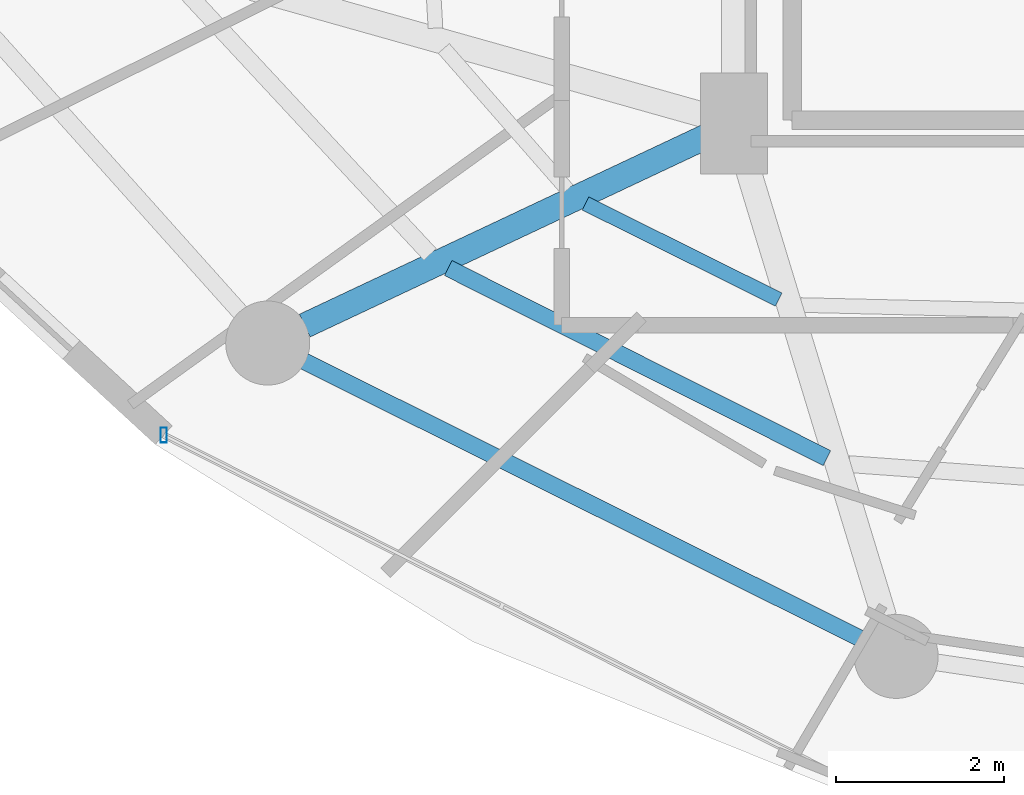
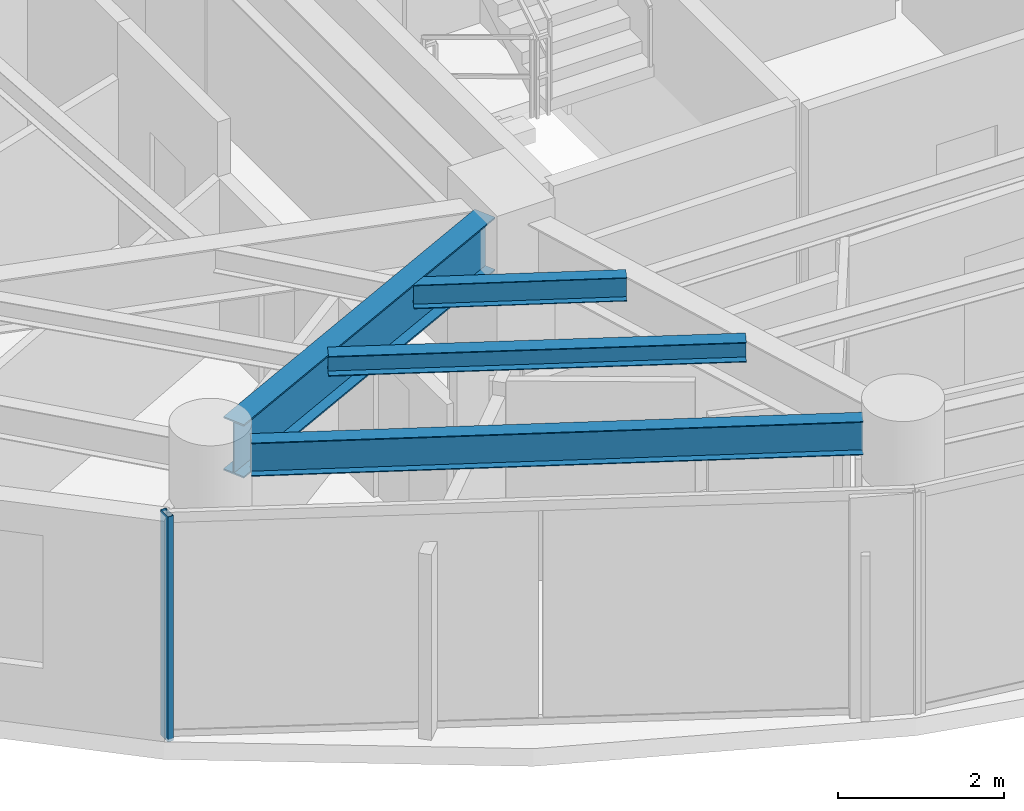
# One storey, part 2 of 29: 4 beams, 1 member, 1 element without a shape of its own.
"""IFC4 building model written with IfcOpenShell, lengths in metres."""

from ifc_helpers import new_model, si_unit, direction, frame, origin, origin_2d, place, context, subcontext, project, spatial, hollow_rectangle, i_section, extrude, material, material_profile, profile_set, type_object, element, aggregate, save


model = new_model("IFC4")

# Units and contexts
model_context = context("Model", 3, precision=1e-05, world=origin(), true_north=direction((0.0, 1.0)))
body_context = subcontext(model_context, "Body", "Model", "MODEL_VIEW")
ifc_project = project(units=[si_unit("LENGTHUNIT", "METRE"), si_unit("AREAUNIT", "SQUARE_METRE"), si_unit("VOLUMEUNIT", "CUBIC_METRE"), si_unit("PLANEANGLEUNIT", "RADIAN"), si_unit("MASSUNIT", "GRAM", prefix="KILO")], contexts=[model_context])

# Site, building, storey
site_placement = place(None, origin())
site = spatial("IfcSite", under=ifc_project, at=site_placement, CompositionType="ELEMENT")
building_placement = place(site_placement, origin())
building = spatial("IfcBuilding", under=site, at=building_placement, Name="Vorneva Point Tower", CompositionType="ELEMENT")
storey_placement = place(building_placement, frame((0.0, 0.0, 167.60009765625)))
storey = spatial("IfcBuildingStorey", under=building, at=storey_placement, Name="L45", CompositionType="ELEMENT", Elevation=167.60009765625)

# Beams
ifc_material_1 = material(Name="Steel S355", Category="steel")
ifc_material_profile_1 = material_profile(ifc_material_1, i_section(OverallWidth=0.300048828125, OverallDepth=0.7880859375, WebThickness=0.014404296875, FlangeThickness=0.02197265625, at=origin_2d()), Name="80Sh1")
ifc_profile_set_1 = profile_set([ifc_material_profile_1], Name="Steel S355")
beam_type_1 = type_object("IfcBeamType", Name="BM-GRD-80Sh1", PredefinedType="USERDEFINED", material=ifc_profile_set_1)
beam_1_placement = place(storey_placement, frame((22.142578125, 14.045654296875, 2.845947265625), z_axis=(0.904761331435, 0.425918927896, 0.0), x_axis=(-0.425918927896, 0.904761331435, 0.0)))
element("IfcBeam", 1, at=beam_1_placement, inside=storey, type_object=beam_type_1, Name="L45 Radial Primary Girder 11", ObjectType="GIRDER", PredefinedType="USERDEFINED", context=body_context, shape_type="SweptSolid", body=[
    extrude(i_section(OverallWidth=0.300048828125, OverallDepth=0.7880859375, WebThickness=0.014404296875, FlangeThickness=0.02197265625, at=origin_2d()), origin(), (0.0, 0.0, 1.0), 5.304931640625),
])
ifc_material_profile_2 = material_profile(ifc_material_1, i_section(OverallWidth=0.199951171875, OverallDepth=0.291015625, WebThickness=0.008056640625, FlangeThickness=0.010986328125, at=origin_2d()), Name="30Sh1")
ifc_profile_set_2 = profile_set([ifc_material_profile_2], Name="Steel S355")
beam_type_2 = type_object("IfcBeamType", Name="BM-SEC-30Sh1", PredefinedType="BEAM", material=ifc_profile_set_2)
beam_2_placement = place(storey_placement, frame((23.85009765625, 14.7294921875, 3.094482421875), z_axis=(0.893855059999, -0.448356032316, 0.0), x_axis=(0.448356032316, 0.893855059999, 0.0)))
element("IfcBeam", 2, at=beam_2_placement, inside=storey, type_object=beam_type_2, Name="L45 Secondary Floor Beam 1.11", PredefinedType="BEAM", context=body_context, shape_type="SweptSolid", body=[
    extrude(i_section(OverallWidth=0.199951171875, OverallDepth=0.291015625, WebThickness=0.008056640625, FlangeThickness=0.010986328125, at=origin_2d()), origin(), (0.0, 0.0, 1.0), 5.041748046875),
])
ifc_material_profile_3 = material_profile(ifc_material_1, i_section(OverallWidth=0.174072265625, OverallDepth=0.345947265625, WebThickness=0.006103515625, FlangeThickness=0.009033203125, at=origin_2d()), Name="35B1")
ifc_profile_set_3 = profile_set([ifc_material_profile_3], Name="Steel S355")
beam_type_3 = type_object("IfcBeamType", Name="BM-SEC-35B1", PredefinedType="BEAM", material=ifc_profile_set_3)
beam_3_placement = place(storey_placement, frame((25.482177734375, 15.498291015625, 3.06689453125), z_axis=(0.895489131745, -0.445083379746, 0.0), x_axis=(0.445083379746, 0.895489131745, 0.0)))
element("IfcBeam", 3, at=beam_3_placement, inside=storey, type_object=beam_type_3, Name="L45 Secondary Floor Beam 2.11", PredefinedType="BEAM", context=body_context, shape_type="SweptSolid", body=[
    extrude(i_section(OverallWidth=0.174072265625, OverallDepth=0.345947265625, WebThickness=0.006103515625, FlangeThickness=0.009033203125, at=origin_2d()), origin(), (0.0, 0.0, 1.0), 2.56884765625),
])
ifc_material_profile_4 = material_profile(ifc_material_1, i_section(OverallWidth=0.199951171875, OverallDepth=0.491943359375, WebThickness=0.0087890625, FlangeThickness=0.011962890625, at=origin_2d()), Name="50B1")
ifc_profile_set_4 = profile_set([ifc_material_profile_4], Name="Steel S355")
beam_type_4 = type_object("IfcBeamType", Name="BM-SPN-50B1", PredefinedType="SPANDREL", material=ifc_profile_set_4)
beam_4_placement = place(storey_placement, frame((22.13525390625, 13.621337890625, 2.993896484375), z_axis=(0.894929061397, -0.446208443518, 0.0), x_axis=(0.446208443518, 0.894929061397, 0.0)))
element("IfcBeam", 4, at=beam_4_placement, inside=storey, type_object=beam_type_4, Name="L45 Perimeter Spandrel Ring Beam 11", PredefinedType="SPANDREL", context=body_context, shape_type="SweptSolid", body=[
    extrude(i_section(OverallWidth=0.199951171875, OverallDepth=0.491943359375, WebThickness=0.0087890625, FlangeThickness=0.011962890625, at=origin_2d()), origin(), (0.0, 0.0, 1.0), 7.385986328125),
])

# Curtain wall, member
ifc_material_2 = material(Name="Pale anodised aluminium", Category="aluminium")
curtain_wall_type = type_object("IfcCurtainWallType", Name="CW-RES-SYS", PredefinedType="NOTDEFINED", material=ifc_material_2)
curtain_wall_placement = place(storey_placement, origin())
curtain_wall = element("IfcCurtainWall", 5, at=curtain_wall_placement, inside=storey, type_object=curtain_wall_type, Name="L45 Unitised Curtain Wall CW-L45-R04", PredefinedType="NOTDEFINED")
ifc_material_profile_5 = material_profile(ifc_material_2, hollow_rectangle(XDim=0.074951171875, YDim=0.179931640625, WallThickness=0.00390625, at=origin_2d()), Name="AL-MUL 180x75x4")
ifc_profile_set_5 = profile_set([ifc_material_profile_5], Name="Pale anodised aluminium")
member_type = type_object("IfcMemberType", Name="CW-MUL-180", PredefinedType="MULLION", material=ifc_profile_set_5)
member_placement = place(storey_placement, frame((20.4638671875, 12.74169921875, -0.0400390625), z_axis=(0.0, 0.0, 1.0), x_axis=(1.0, 0.0, 0.0)))
member = element("IfcMember", 6, at=member_placement, type_object=member_type, Name="CW-L45-R04 Mullion 01", PredefinedType="MULLION", context=body_context, shape_type="SweptSolid", body=[
    extrude(hollow_rectangle(XDim=0.074951171875, YDim=0.179931640625, WallThickness=0.00390625, at=origin_2d()), origin(), (0.0, 0.0, 1.0), 3.31005859375),
])
aggregate(curtain_wall, [member])

save(model, "model.ifc")
